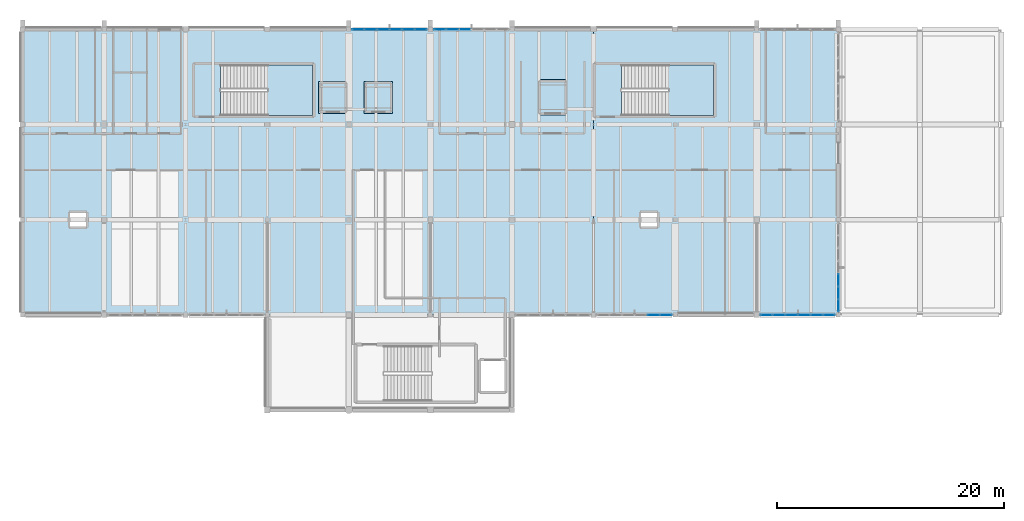
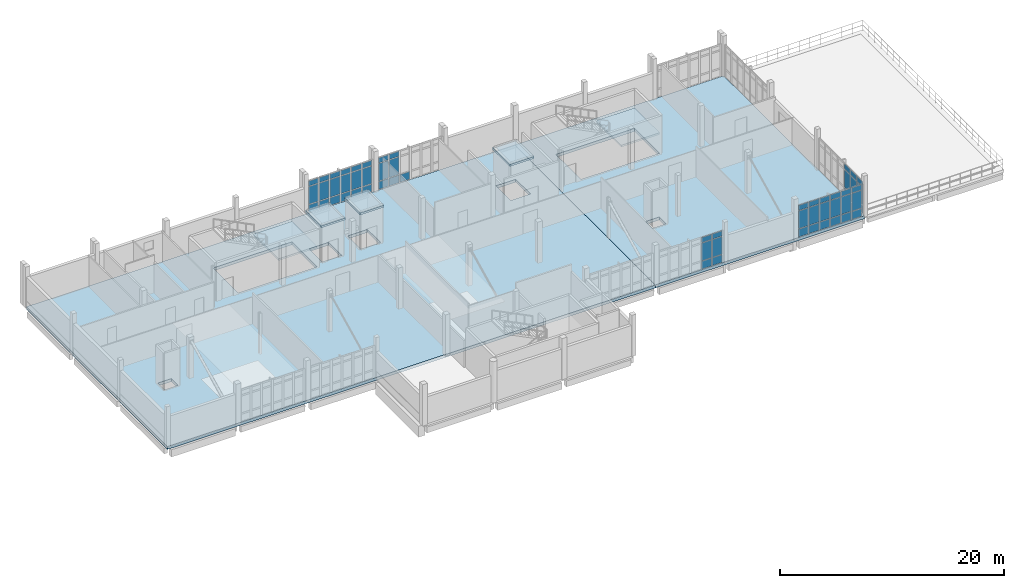
# One storey, part 23 of 34: 58 plates, 7 slabs, 7 elements without a shape of their own.
"""IFC4 building model written with IfcOpenShell, lengths in metres."""

import ifcopenshell
import ifcopenshell.guid

model = None  # the IFC model being written
_history = None  # IfcOwnerHistory: only IFC2X3 demands one
_inside = {}  # id of a spatial element -> (the spatial element, [elements in it])
_under = {}  # id of a project, library or spatial element -> (it, [spatial elements below it])
_declared = {}  # id of a project -> (the project, [libraries it declares])
_typed = {}  # id of a type object -> (the type object, [elements of that type])
_made_of = {}  # id of a material, layer set ... -> (it, [elements and type objects made of it])


def new_model(schema):
    """Start an empty IFC model of exactly this schema.

    Asked for "IFC4X3", IfcOpenShell would pick the latest addendum, in which some entities
    have other attributes; the version numbers below select the first issue.
    IFC2X3 requires an IfcOwnerHistory on every rooted entity: one is made here for all.
    """
    global model, _history
    if schema == "IFC4X3":
        model = ifcopenshell.file(schema_version=(4, 3, 0, 0))
    else:
        model = ifcopenshell.file(schema=schema)
    _inside.clear()
    _under.clear()
    _declared.clear()
    _typed.clear()
    _made_of.clear()
    _history = None
    if model.schema == "IFC2X3":
        org = make("IfcOrganization", Name="unknown")
        user = make(
            "IfcPersonAndOrganization",
            ThePerson=make("IfcPerson", FamilyName="unknown"),
            TheOrganization=org,
        )
        app = make(
            "IfcApplication",
            ApplicationDeveloper=org,
            Version="unknown",
            ApplicationFullName="unknown",
            ApplicationIdentifier="unknown",
        )
        _history = make(
            "IfcOwnerHistory",
            OwningUser=user,
            OwningApplication=app,
            ChangeAction="ADDED",
            CreationDate=0,
        )
    return model


def make(cls, **values):
    """One entity of the class cls with the attributes given. An attribute that is None is left unset."""
    return model.create_entity(
        cls, **{name: value for name, value in values.items() if value is not None}
    )


def rooted(cls, **values):
    """An entity with a GlobalId (a new one), such as an element, a storey or a relation."""
    return make(cls, GlobalId=ifcopenshell.guid.new(), OwnerHistory=_history, **values)


def si_unit(unit_type, name, prefix=None):
    """IfcSIUnit, for example si_unit("LENGTHUNIT", "METRE", prefix="MILLI")."""
    return make("IfcSIUnit", UnitType=unit_type, Prefix=prefix, Name=name)


def assignment(units):
    """IfcUnitAssignment: the units of a project."""
    return None if units is None else make("IfcUnitAssignment", Units=units)


def point(xyz):
    """IfcCartesianPoint."""
    return None if xyz is None else make("IfcCartesianPoint", Coordinates=xyz)


def direction(xyz):
    """IfcDirection."""
    return None if xyz is None else make("IfcDirection", DirectionRatios=xyz)


def frame(location, z_axis=None, x_axis=None):
    """IfcAxis2Placement3D, a coordinate frame: its origin and axes. An axis left out is left unset."""
    return make(
        "IfcAxis2Placement3D",
        Location=point(location),
        Axis=direction(z_axis),
        RefDirection=direction(x_axis),
    )


def frame_2d(location, x_axis=None):
    """IfcAxis2Placement2D, a coordinate frame in the plane: its origin and x axis."""
    return make(
        "IfcAxis2Placement2D", Location=point(location), RefDirection=direction(x_axis)
    )


def origin():
    """The frame at (0, 0, 0) with its axes left unset."""
    return frame((0.0, 0.0, 0.0))


def origin_2d():
    """The frame at (0, 0) in the plane with its x axis left unset."""
    return frame_2d((0.0, 0.0))


def place(relative_to, where):
    """IfcLocalPlacement: puts the frame where relative to a parent placement (None: the world)."""
    return make(
        "IfcLocalPlacement", PlacementRelTo=relative_to, RelativePlacement=where
    )


def context(
    kind, dimensions, precision=None, world=None, true_north=None, identifier=None
):
    """IfcGeometricRepresentationContext, for example the 3D "Model" context."""
    return make(
        "IfcGeometricRepresentationContext",
        ContextIdentifier=identifier,
        ContextType=kind,
        CoordinateSpaceDimension=dimensions,
        Precision=precision,
        WorldCoordinateSystem=world,
        TrueNorth=true_north,
    )


def subcontext(parent, identifier, kind, view, scale=None):
    """IfcGeometricRepresentationSubContext, for example "Body" below "Model"."""
    return make(
        "IfcGeometricRepresentationSubContext",
        ContextIdentifier=identifier,
        ContextType=kind,
        ParentContext=parent,
        TargetScale=scale,
        TargetView=view,
    )


def project(units=None, contexts=None):
    """IfcProject with its units and contexts."""
    return rooted(
        "IfcProject",
        Name="project",
        RepresentationContexts=contexts,
        UnitsInContext=assignment(units),
    )


def spatial(cls, under=None, at=None, **own):
    """A site, building, storey or space (cls), placed at a placement, below another one or the project."""
    s = rooted(cls, ObjectPlacement=at, **own)
    if under is not None:
        _under.setdefault(under.id(), (under, []))[1].append(s)
    return s


def polyline(points):
    """IfcPolyline through the points."""
    return make("IfcPolyline", Points=[point(p) for p in points])


def profile(cls, at=None, kind="AREA", **sizes):
    """A parametric profile (cls). Its sizes go by their IFC names, for example OverallWidth=200.0."""
    return make(cls, ProfileType=kind, Position=at, **sizes)


def rectangle(**sizes):
    """IfcRectangleProfileDef."""
    return profile("IfcRectangleProfileDef", **sizes)


def outline(outer, holes=None, kind="AREA"):
    """IfcArbitraryClosedProfileDef: a profile drawn as a closed curve; with holes, ...WithVoids."""
    if holes is None:
        return make("IfcArbitraryClosedProfileDef", ProfileType=kind, OuterCurve=outer)
    return make(
        "IfcArbitraryProfileDefWithVoids",
        ProfileType=kind,
        OuterCurve=outer,
        InnerCurves=holes,
    )


def extrude(swept, where, along, depth):
    """IfcExtrudedAreaSolid: the profile swept, set in the frame where, extruded along a direction by depth."""
    return make(
        "IfcExtrudedAreaSolid",
        SweptArea=swept,
        Position=where,
        ExtrudedDirection=direction(along),
        Depth=depth,
    )


def shape(context_of_items, identifier, shape_type, items):
    """IfcShapeRepresentation: the items that make up one representation, for example the "Body"."""
    return make(
        "IfcShapeRepresentation",
        ContextOfItems=context_of_items,
        RepresentationIdentifier=identifier,
        RepresentationType=shape_type,
        Items=items,
    )


def material(Name=None, Category=None):
    """IfcMaterial."""
    return make("IfcMaterial", Name=Name, Category=Category)


def layer(
    of_material, thickness, ventilated=None, Name=None, Category=None, Priority=None
):
    """IfcMaterialLayer: one layer of a wall or slab, of a material (None: an air gap)."""
    return make(
        "IfcMaterialLayer",
        Material=of_material,
        LayerThickness=thickness,
        IsVentilated=ventilated,
        Name=Name,
        Category=Category,
        Priority=Priority,
    )


def layer_set(layers, Name=None):
    """IfcMaterialLayerSet."""
    return make("IfcMaterialLayerSet", MaterialLayers=layers, LayerSetName=Name)


def made_of(thing, what):
    """Note that an element or type object is made of a material, layer set ...; save() writes the relation."""
    if what is not None:
        _made_of.setdefault(what.id(), (what, []))[1].append(thing)
    return thing


def type_object(cls, material=None, **own):
    """A type object (cls), such as IfcWallType, which elements share."""
    return made_of(rooted(cls, **own), material)


def element(
    cls,
    number,
    at=None,
    inside=None,
    cuts=None,
    type_object=None,
    material=None,
    context=None,
    identifier="Body",
    shape_type=None,
    held_by="IfcProductDefinitionShape",
    body=None,
    shapes=None,
    **own,
):
    """One element of the class cls, such as IfcWall. Its Tag is "e" and its number.

    at: its placement. inside: the storey or other place that contains it. cuts: it is an
    opening in that element (IfcRelVoidsElement). A single representation is given by context,
    identifier, shape_type and body (its items); several are given by shapes. held_by: the class
    of the entity that holds the representations. save() writes the other relations.
    """
    e = rooted(cls, Tag="e%d" % number, ObjectPlacement=at, **own)
    if body is not None:
        shapes = [shape(context, identifier, shape_type, body)]
    if shapes is not None:
        e.Representation = make(held_by, Representations=shapes)
    if inside is not None:
        _inside.setdefault(inside.id(), (inside, []))[1].append(e)
    if cuts is not None:
        rooted(
            "IfcRelVoidsElement", RelatingBuildingElement=cuts, RelatedOpeningElement=e
        )
    if type_object is not None:
        _typed.setdefault(type_object.id(), (type_object, []))[1].append(e)
    return made_of(e, material)


def aggregate(whole, parts):
    """IfcRelAggregates: a whole, such as a stair, and the parts it consists of."""
    return rooted("IfcRelAggregates", RelatingObject=whole, RelatedObjects=parts)


def save(model, path):
    """Write the relations noted so far, then the file.

    IfcRelAggregates (storeys below a building ...), IfcRelContainedInSpatialStructure (elements
    in a storey), IfcRelDefinesByType, IfcRelAssociatesMaterial and IfcRelDeclares: one each for
    every whole, place, type object, material and project.
    """
    for whole, parts in _under.values():
        aggregate(whole, parts)
    for where, things in _inside.values():
        rooted(
            "IfcRelContainedInSpatialStructure",
            RelatedElements=things,
            RelatingStructure=where,
        )
    for kind, things in _typed.values():
        rooted("IfcRelDefinesByType", RelatedObjects=things, RelatingType=kind)
    for what, things in _made_of.values():
        rooted("IfcRelAssociatesMaterial", RelatedObjects=things, RelatingMaterial=what)
    for by, libraries in _declared.values():
        rooted("IfcRelDeclares", RelatingContext=by, RelatedDefinitions=libraries)
    model.write(path)


model = new_model("IFC4")

# Units and contexts
model_context = context("Model", 3, precision=1e-05, world=origin(), true_north=direction((0.0, 1.0)))
body_context = subcontext(model_context, "Body", "Model", "MODEL_VIEW")
ifc_project = project(units=[si_unit("LENGTHUNIT", "METRE"), si_unit("AREAUNIT", "SQUARE_METRE"), si_unit("VOLUMEUNIT", "CUBIC_METRE"), si_unit("PLANEANGLEUNIT", "RADIAN"), si_unit("MASSUNIT", "GRAM", prefix="KILO")], contexts=[model_context])

# Site, building, storey
site_placement = place(None, origin())
site = spatial("IfcSite", under=ifc_project, at=site_placement, CompositionType="ELEMENT")
building_placement = place(site_placement, origin())
building = spatial("IfcBuilding", under=site, at=building_placement, Name="Kalluvel Institute of Natural Sciences", CompositionType="ELEMENT")
storey_placement = place(building_placement, frame((0.0, 0.0, 36.89990234375)))
storey = spatial("IfcBuildingStorey", under=building, at=storey_placement, Name="L08", CompositionType="ELEMENT", Elevation=36.89990234375)

# Curtain wall, plates
ifc_material_1 = material(Name="Aluminium AW-6063 T6", Category="aluminium")
curtain_wall_type = type_object("IfcCurtainWallType", Name="CW-WET-45", PredefinedType="USERDEFINED", material=ifc_material_1)
curtain_wall_1_placement = place(storey_placement, origin())
curtain_wall_1 = element("IfcCurtainWall", 1, at=curtain_wall_1_placement, inside=storey, type_object=curtain_wall_type, Name="L08 Gothic lancet curtain wall CWA-L08-X430-Y1280", ObjectType="UNITISED LANCET FACADE", PredefinedType="USERDEFINED")
ifc_material_2 = material(Name="Solar-Control Low-E Laminated Glass", Category="glass")
ifc_layer_1 = layer(ifc_material_2, 0.0400390625)
ifc_layer_set_1 = layer_set([ifc_layer_1], Name="Solar-Control Low-E Laminated Glass")
plate_type = type_object("IfcPlateType", Name="CWP-SPN-40", PredefinedType="CURTAIN_PANEL", material=ifc_layer_set_1)
plate_1_placement = place(storey_placement, frame((43.623779296875, 128.0, 0.0703125), z_axis=(0.0, 0.0, 1.0), x_axis=(1.0, 0.0, 0.0)))
plate_1 = element("IfcPlate", 2, at=plate_1_placement, type_object=plate_type, Name="CW-01 panel 1.1", PredefinedType="CURTAIN_PANEL", context=body_context, shape_type="SweptSolid", body=[
    extrude(rectangle(XDim=1.007568359375, YDim=0.0400390625, at=origin_2d()), origin(), (0.0, 0.0, 1.0), 0.844970703125),
])
plate_2_placement = place(storey_placement, frame((43.623779296875, 128.0, 0.9853515625), z_axis=(0.0, 0.0, 1.0), x_axis=(1.0, 0.0, 0.0)))
plate_2 = element("IfcPlate", 3, at=plate_2_placement, type_object=plate_type, Name="CW-01 panel 1.2", PredefinedType="CURTAIN_PANEL", context=body_context, shape_type="SweptSolid", body=[
    extrude(rectangle(XDim=1.007568359375, YDim=0.0400390625, at=origin_2d()), origin(), (0.0, 0.0, 1.0), 1.909912109375),
])
plate_3_placement = place(storey_placement, frame((43.623779296875, 128.0, 2.965087890625), z_axis=(0.0, 0.0, 1.0), x_axis=(1.0, 0.0, 0.0)))
plate_3 = element("IfcPlate", 4, at=plate_3_placement, type_object=plate_type, Name="CW-01 panel 1.3", PredefinedType="CURTAIN_PANEL", context=body_context, shape_type="SweptSolid", body=[
    extrude(rectangle(XDim=1.007568359375, YDim=0.0400390625, at=origin_2d()), origin(), (0.0, 0.0, 1.0), 0.544921875),
])
plate_4_placement = place(storey_placement, frame((44.71875, 128.0, 0.0703125), z_axis=(0.0, 0.0, 1.0), x_axis=(1.0, 0.0, 0.0)))
plate_4 = element("IfcPlate", 5, at=plate_4_placement, type_object=plate_type, Name="CW-01 panel 2.1", PredefinedType="CURTAIN_PANEL", context=body_context, shape_type="SweptSolid", body=[
    extrude(rectangle(XDim=1.04248046875, YDim=0.0400390625, at=origin_2d()), origin(), (0.0, 0.0, 1.0), 0.844970703125),
])
plate_5_placement = place(storey_placement, frame((44.71875, 128.0, 0.9853515625), z_axis=(0.0, 0.0, 1.0), x_axis=(1.0, 0.0, 0.0)))
plate_5 = element("IfcPlate", 6, at=plate_5_placement, type_object=plate_type, Name="CW-01 panel 2.2", PredefinedType="CURTAIN_PANEL", context=body_context, shape_type="SweptSolid", body=[
    extrude(rectangle(XDim=1.04248046875, YDim=0.0400390625, at=origin_2d()), origin(), (0.0, 0.0, 1.0), 1.909912109375),
])
plate_6_placement = place(storey_placement, frame((44.71875, 128.0, 2.965087890625), z_axis=(0.0, 0.0, 1.0), x_axis=(1.0, 0.0, 0.0)))
plate_6 = element("IfcPlate", 7, at=plate_6_placement, type_object=plate_type, Name="CW-01 panel 2.3", PredefinedType="CURTAIN_PANEL", context=body_context, shape_type="SweptSolid", body=[
    extrude(rectangle(XDim=1.04248046875, YDim=0.0400390625, at=origin_2d()), origin(), (0.0, 0.0, 1.0), 0.544921875),
])
plate_7_placement = place(storey_placement, frame((45.831298828125, 128.0, 0.0703125), z_axis=(0.0, 0.0, 1.0), x_axis=(1.0, 0.0, 0.0)))
plate_7 = element("IfcPlate", 8, at=plate_7_placement, type_object=plate_type, Name="CW-01 panel 3.1", PredefinedType="CURTAIN_PANEL", context=body_context, shape_type="SweptSolid", body=[
    extrude(rectangle(XDim=1.04248046875, YDim=0.0400390625, at=origin_2d()), origin(), (0.0, 0.0, 1.0), 0.844970703125),
])
plate_8_placement = place(storey_placement, frame((45.831298828125, 128.0, 0.9853515625), z_axis=(0.0, 0.0, 1.0), x_axis=(1.0, 0.0, 0.0)))
plate_8 = element("IfcPlate", 9, at=plate_8_placement, type_object=plate_type, Name="CW-01 panel 3.2", PredefinedType="CURTAIN_PANEL", context=body_context, shape_type="SweptSolid", body=[
    extrude(rectangle(XDim=1.04248046875, YDim=0.0400390625, at=origin_2d()), origin(), (0.0, 0.0, 1.0), 1.909912109375),
])
plate_9_placement = place(storey_placement, frame((45.831298828125, 128.0, 2.965087890625), z_axis=(0.0, 0.0, 1.0), x_axis=(1.0, 0.0, 0.0)))
plate_9 = element("IfcPlate", 10, at=plate_9_placement, type_object=plate_type, Name="CW-01 panel 3.3", PredefinedType="CURTAIN_PANEL", context=body_context, shape_type="SweptSolid", body=[
    extrude(rectangle(XDim=1.04248046875, YDim=0.0400390625, at=origin_2d()), origin(), (0.0, 0.0, 1.0), 0.544921875),
])
plate_10_placement = place(storey_placement, frame((46.94384765625, 128.0, 0.0703125), z_axis=(0.0, 0.0, 1.0), x_axis=(1.0, 0.0, 0.0)))
plate_10 = element("IfcPlate", 11, at=plate_10_placement, type_object=plate_type, Name="CW-01 panel 4.1", PredefinedType="CURTAIN_PANEL", context=body_context, shape_type="SweptSolid", body=[
    extrude(rectangle(XDim=1.04248046875, YDim=0.0400390625, at=origin_2d()), origin(), (0.0, 0.0, 1.0), 0.844970703125),
])
plate_11_placement = place(storey_placement, frame((46.94384765625, 128.0, 0.9853515625), z_axis=(0.0, 0.0, 1.0), x_axis=(1.0, 0.0, 0.0)))
plate_11 = element("IfcPlate", 12, at=plate_11_placement, type_object=plate_type, Name="CW-01 panel 4.2", PredefinedType="CURTAIN_PANEL", context=body_context, shape_type="SweptSolid", body=[
    extrude(rectangle(XDim=1.04248046875, YDim=0.0400390625, at=origin_2d()), origin(), (0.0, 0.0, 1.0), 1.909912109375),
])
plate_12_placement = place(storey_placement, frame((46.94384765625, 128.0, 2.965087890625), z_axis=(0.0, 0.0, 1.0), x_axis=(1.0, 0.0, 0.0)))
plate_12 = element("IfcPlate", 13, at=plate_12_placement, type_object=plate_type, Name="CW-01 panel 4.3", PredefinedType="CURTAIN_PANEL", context=body_context, shape_type="SweptSolid", body=[
    extrude(rectangle(XDim=1.04248046875, YDim=0.0400390625, at=origin_2d()), origin(), (0.0, 0.0, 1.0), 0.544921875),
])
plate_13_placement = place(storey_placement, frame((48.05615234375, 128.0, 0.0703125), z_axis=(0.0, 0.0, 1.0), x_axis=(1.0, 0.0, 0.0)))
plate_13 = element("IfcPlate", 14, at=plate_13_placement, type_object=plate_type, Name="CW-01 panel 5.1", PredefinedType="CURTAIN_PANEL", context=body_context, shape_type="SweptSolid", body=[
    extrude(rectangle(XDim=1.04248046875, YDim=0.0400390625, at=origin_2d()), origin(), (0.0, 0.0, 1.0), 0.844970703125),
])
plate_14_placement = place(storey_placement, frame((48.05615234375, 128.0, 0.9853515625), z_axis=(0.0, 0.0, 1.0), x_axis=(1.0, 0.0, 0.0)))
plate_14 = element("IfcPlate", 15, at=plate_14_placement, type_object=plate_type, Name="CW-01 panel 5.2", PredefinedType="CURTAIN_PANEL", context=body_context, shape_type="SweptSolid", body=[
    extrude(rectangle(XDim=1.04248046875, YDim=0.0400390625, at=origin_2d()), origin(), (0.0, 0.0, 1.0), 1.909912109375),
])
plate_15_placement = place(storey_placement, frame((48.05615234375, 128.0, 2.965087890625), z_axis=(0.0, 0.0, 1.0), x_axis=(1.0, 0.0, 0.0)))
plate_15 = element("IfcPlate", 16, at=plate_15_placement, type_object=plate_type, Name="CW-01 panel 5.3", PredefinedType="CURTAIN_PANEL", context=body_context, shape_type="SweptSolid", body=[
    extrude(rectangle(XDim=1.04248046875, YDim=0.0400390625, at=origin_2d()), origin(), (0.0, 0.0, 1.0), 0.544921875),
])
plate_16_placement = place(storey_placement, frame((49.1513671875, 128.0, 0.0703125), z_axis=(0.0, 0.0, 1.0), x_axis=(1.0, 0.0, 0.0)))
plate_16 = element("IfcPlate", 17, at=plate_16_placement, type_object=plate_type, Name="CW-01 panel 6.1", PredefinedType="CURTAIN_PANEL", context=body_context, shape_type="SweptSolid", body=[
    extrude(rectangle(XDim=1.007568359375, YDim=0.0400390625, at=origin_2d()), origin(), (0.0, 0.0, 1.0), 0.844970703125),
])
plate_17_placement = place(storey_placement, frame((49.1513671875, 128.0, 0.9853515625), z_axis=(0.0, 0.0, 1.0), x_axis=(1.0, 0.0, 0.0)))
plate_17 = element("IfcPlate", 18, at=plate_17_placement, type_object=plate_type, Name="CW-01 panel 6.2", PredefinedType="CURTAIN_PANEL", context=body_context, shape_type="SweptSolid", body=[
    extrude(rectangle(XDim=1.007568359375, YDim=0.0400390625, at=origin_2d()), origin(), (0.0, 0.0, 1.0), 1.909912109375),
])
plate_18_placement = place(storey_placement, frame((49.1513671875, 128.0, 2.965087890625), z_axis=(0.0, 0.0, 1.0), x_axis=(1.0, 0.0, 0.0)))
plate_18 = element("IfcPlate", 19, at=plate_18_placement, type_object=plate_type, Name="CW-01 panel 6.3", PredefinedType="CURTAIN_PANEL", context=body_context, shape_type="SweptSolid", body=[
    extrude(rectangle(XDim=1.007568359375, YDim=0.0400390625, at=origin_2d()), origin(), (0.0, 0.0, 1.0), 0.544921875),
])
aggregate(curtain_wall_1, [plate_1, plate_2, plate_3, plate_4, plate_5, plate_6, plate_7, plate_8, plate_9, plate_10, plate_11, plate_12, plate_13, plate_14, plate_15, plate_16, plate_17, plate_18])

curtain_wall_2_placement = place(storey_placement, origin())
curtain_wall_2 = element("IfcCurtainWall", 20, at=curtain_wall_2_placement, inside=storey, type_object=curtain_wall_type, Name="L08 Gothic lancet curtain wall CWA-L08-X503-Y1280", ObjectType="UNITISED LANCET FACADE", PredefinedType="USERDEFINED")
plate_19_placement = place(storey_placement, frame((50.8486328125, 128.0, 0.0703125), z_axis=(0.0, 0.0, 1.0), x_axis=(1.0, 0.0, 0.0)))
plate_19 = element("IfcPlate", 21, at=plate_19_placement, type_object=plate_type, Name="CW-01 panel 1.1", PredefinedType="CURTAIN_PANEL", context=body_context, shape_type="SweptSolid", body=[
    extrude(rectangle(XDim=1.007568359375, YDim=0.0400390625, at=origin_2d()), origin(), (0.0, 0.0, 1.0), 0.844970703125),
])
plate_20_placement = place(storey_placement, frame((50.8486328125, 128.0, 0.9853515625), z_axis=(0.0, 0.0, 1.0), x_axis=(1.0, 0.0, 0.0)))
plate_20 = element("IfcPlate", 22, at=plate_20_placement, type_object=plate_type, Name="CW-01 panel 1.2", PredefinedType="CURTAIN_PANEL", context=body_context, shape_type="SweptSolid", body=[
    extrude(rectangle(XDim=1.007568359375, YDim=0.0400390625, at=origin_2d()), origin(), (0.0, 0.0, 1.0), 1.909912109375),
])
plate_21_placement = place(storey_placement, frame((50.8486328125, 128.0, 2.965087890625), z_axis=(0.0, 0.0, 1.0), x_axis=(1.0, 0.0, 0.0)))
plate_21 = element("IfcPlate", 23, at=plate_21_placement, type_object=plate_type, Name="CW-01 panel 1.3", PredefinedType="CURTAIN_PANEL", context=body_context, shape_type="SweptSolid", body=[
    extrude(rectangle(XDim=1.007568359375, YDim=0.0400390625, at=origin_2d()), origin(), (0.0, 0.0, 1.0), 0.544921875),
])
plate_22_placement = place(storey_placement, frame((51.94384765625, 128.0, 0.0703125), z_axis=(0.0, 0.0, 1.0), x_axis=(1.0, 0.0, 0.0)))
plate_22 = element("IfcPlate", 24, at=plate_22_placement, type_object=plate_type, Name="CW-01 panel 2.1", PredefinedType="CURTAIN_PANEL", context=body_context, shape_type="SweptSolid", body=[
    extrude(rectangle(XDim=1.04248046875, YDim=0.0400390625, at=origin_2d()), origin(), (0.0, 0.0, 1.0), 0.844970703125),
])
plate_23_placement = place(storey_placement, frame((51.94384765625, 128.0, 0.9853515625), z_axis=(0.0, 0.0, 1.0), x_axis=(1.0, 0.0, 0.0)))
plate_23 = element("IfcPlate", 25, at=plate_23_placement, type_object=plate_type, Name="CW-01 panel 2.2", PredefinedType="CURTAIN_PANEL", context=body_context, shape_type="SweptSolid", body=[
    extrude(rectangle(XDim=1.04248046875, YDim=0.0400390625, at=origin_2d()), origin(), (0.0, 0.0, 1.0), 1.909912109375),
])
plate_24_placement = place(storey_placement, frame((51.94384765625, 128.0, 2.965087890625), z_axis=(0.0, 0.0, 1.0), x_axis=(1.0, 0.0, 0.0)))
plate_24 = element("IfcPlate", 26, at=plate_24_placement, type_object=plate_type, Name="CW-01 panel 2.3", PredefinedType="CURTAIN_PANEL", context=body_context, shape_type="SweptSolid", body=[
    extrude(rectangle(XDim=1.04248046875, YDim=0.0400390625, at=origin_2d()), origin(), (0.0, 0.0, 1.0), 0.544921875),
])
plate_25_placement = place(storey_placement, frame((53.05615234375, 128.0, 0.0703125), z_axis=(0.0, 0.0, 1.0), x_axis=(1.0, 0.0, 0.0)))
plate_25 = element("IfcPlate", 27, at=plate_25_placement, type_object=plate_type, Name="CW-01 panel 3.1", PredefinedType="CURTAIN_PANEL", context=body_context, shape_type="SweptSolid", body=[
    extrude(rectangle(XDim=1.04248046875, YDim=0.0400390625, at=origin_2d()), origin(), (0.0, 0.0, 1.0), 0.844970703125),
])
aggregate(curtain_wall_2, [plate_19, plate_20, plate_21, plate_22, plate_23, plate_24, plate_25])

curtain_wall_3_placement = place(storey_placement, origin())
curtain_wall_3 = element("IfcCurtainWall", 28, at=curtain_wall_3_placement, inside=storey, type_object=curtain_wall_type, Name="L08 Gothic lancet curtain wall CWA-L08-X647-Y1028", ObjectType="UNITISED LANCET FACADE", PredefinedType="USERDEFINED")
plate_26_placement = place(storey_placement, frame((69.68115234375, 102.800048828125, 0.0703125), z_axis=(0.0, 0.0, 1.0), x_axis=(1.0, 0.0, 0.0)))
plate_26 = element("IfcPlate", 29, at=plate_26_placement, type_object=plate_type, Name="CW-01 panel 5.1", PredefinedType="CURTAIN_PANEL", context=body_context, shape_type="SweptSolid", body=[
    extrude(rectangle(XDim=1.04248046875, YDim=0.0400390625, at=origin_2d()), origin(), (0.0, 0.0, 1.0), 0.844970703125),
])
plate_27_placement = place(storey_placement, frame((69.68115234375, 102.800048828125, 0.9853515625), z_axis=(0.0, 0.0, 1.0), x_axis=(1.0, 0.0, 0.0)))
plate_27 = element("IfcPlate", 30, at=plate_27_placement, type_object=plate_type, Name="CW-01 panel 5.2", PredefinedType="CURTAIN_PANEL", context=body_context, shape_type="SweptSolid", body=[
    extrude(rectangle(XDim=1.04248046875, YDim=0.0400390625, at=origin_2d()), origin(), (0.0, 0.0, 1.0), 1.909912109375),
])
plate_28_placement = place(storey_placement, frame((69.68115234375, 102.800048828125, 2.965087890625), z_axis=(0.0, 0.0, 1.0), x_axis=(1.0, 0.0, 0.0)))
plate_28 = element("IfcPlate", 31, at=plate_28_placement, type_object=plate_type, Name="CW-01 panel 5.3", PredefinedType="CURTAIN_PANEL", context=body_context, shape_type="SweptSolid", body=[
    extrude(rectangle(XDim=1.04248046875, YDim=0.0400390625, at=origin_2d()), origin(), (0.0, 0.0, 1.0), 0.544921875),
])
plate_29_placement = place(storey_placement, frame((70.7763671875, 102.800048828125, 0.0703125), z_axis=(0.0, 0.0, 1.0), x_axis=(1.0, 0.0, 0.0)))
plate_29 = element("IfcPlate", 32, at=plate_29_placement, type_object=plate_type, Name="CW-01 panel 6.1", PredefinedType="CURTAIN_PANEL", context=body_context, shape_type="SweptSolid", body=[
    extrude(rectangle(XDim=1.007568359375, YDim=0.0400390625, at=origin_2d()), origin(), (0.0, 0.0, 1.0), 0.844970703125),
])
plate_30_placement = place(storey_placement, frame((70.7763671875, 102.800048828125, 0.9853515625), z_axis=(0.0, 0.0, 1.0), x_axis=(1.0, 0.0, 0.0)))
plate_30 = element("IfcPlate", 33, at=plate_30_placement, type_object=plate_type, Name="CW-01 panel 6.2", PredefinedType="CURTAIN_PANEL", context=body_context, shape_type="SweptSolid", body=[
    extrude(rectangle(XDim=1.007568359375, YDim=0.0400390625, at=origin_2d()), origin(), (0.0, 0.0, 1.0), 1.909912109375),
])
plate_31_placement = place(storey_placement, frame((70.7763671875, 102.800048828125, 2.965087890625), z_axis=(0.0, 0.0, 1.0), x_axis=(1.0, 0.0, 0.0)))
plate_31 = element("IfcPlate", 34, at=plate_31_placement, type_object=plate_type, Name="CW-01 panel 6.3", PredefinedType="CURTAIN_PANEL", context=body_context, shape_type="SweptSolid", body=[
    extrude(rectangle(XDim=1.007568359375, YDim=0.0400390625, at=origin_2d()), origin(), (0.0, 0.0, 1.0), 0.544921875),
])
aggregate(curtain_wall_3, [plate_26, plate_27, plate_28, plate_29, plate_30, plate_31])

curtain_wall_4_placement = place(storey_placement, origin())
curtain_wall_4 = element("IfcCurtainWall", 35, at=curtain_wall_4_placement, inside=storey, type_object=curtain_wall_type, Name="L08 Gothic lancet curtain wall CWA-L08-X791-Y1028", ObjectType="UNITISED LANCET FACADE", PredefinedType="USERDEFINED")
plate_32_placement = place(storey_placement, frame((79.671630859375, 102.800048828125, 0.0703125), z_axis=(0.0, 0.0, 1.0), x_axis=(1.0, 0.0, 0.0)))
plate_32 = element("IfcPlate", 36, at=plate_32_placement, type_object=plate_type, Name="CW-01 panel 1.1", PredefinedType="CURTAIN_PANEL", context=body_context, shape_type="SweptSolid", body=[
    extrude(rectangle(XDim=1.00341796875, YDim=0.0400390625, at=origin_2d()), origin(), (0.0, 0.0, 1.0), 0.844970703125),
])
plate_33_placement = place(storey_placement, frame((79.671630859375, 102.800048828125, 0.9853515625), z_axis=(0.0, 0.0, 1.0), x_axis=(1.0, 0.0, 0.0)))
plate_33 = element("IfcPlate", 37, at=plate_33_placement, type_object=plate_type, Name="CW-01 panel 1.2", PredefinedType="CURTAIN_PANEL", context=body_context, shape_type="SweptSolid", body=[
    extrude(rectangle(XDim=1.00341796875, YDim=0.0400390625, at=origin_2d()), origin(), (0.0, 0.0, 1.0), 1.909912109375),
])
plate_34_placement = place(storey_placement, frame((79.671630859375, 102.800048828125, 2.965087890625), z_axis=(0.0, 0.0, 1.0), x_axis=(1.0, 0.0, 0.0)))
plate_34 = element("IfcPlate", 38, at=plate_34_placement, type_object=plate_type, Name="CW-01 panel 1.3", PredefinedType="CURTAIN_PANEL", context=body_context, shape_type="SweptSolid", body=[
    extrude(rectangle(XDim=1.00341796875, YDim=0.0400390625, at=origin_2d()), origin(), (0.0, 0.0, 1.0), 0.544921875),
])
plate_35_placement = place(storey_placement, frame((80.762451171875, 102.800048828125, 0.0703125), z_axis=(0.0, 0.0, 1.0), x_axis=(1.0, 0.0, 0.0)))
plate_35 = element("IfcPlate", 39, at=plate_35_placement, type_object=plate_type, Name="CW-01 panel 2.1", PredefinedType="CURTAIN_PANEL", context=body_context, shape_type="SweptSolid", body=[
    extrude(rectangle(XDim=1.038330078125, YDim=0.0400390625, at=origin_2d()), origin(), (0.0, 0.0, 1.0), 0.844970703125),
])
plate_36_placement = place(storey_placement, frame((80.762451171875, 102.800048828125, 0.9853515625), z_axis=(0.0, 0.0, 1.0), x_axis=(1.0, 0.0, 0.0)))
plate_36 = element("IfcPlate", 40, at=plate_36_placement, type_object=plate_type, Name="CW-01 panel 2.2", PredefinedType="CURTAIN_PANEL", context=body_context, shape_type="SweptSolid", body=[
    extrude(rectangle(XDim=1.038330078125, YDim=0.0400390625, at=origin_2d()), origin(), (0.0, 0.0, 1.0), 1.909912109375),
])
plate_37_placement = place(storey_placement, frame((80.762451171875, 102.800048828125, 2.965087890625), z_axis=(0.0, 0.0, 1.0), x_axis=(1.0, 0.0, 0.0)))
plate_37 = element("IfcPlate", 41, at=plate_37_placement, type_object=plate_type, Name="CW-01 panel 2.3", PredefinedType="CURTAIN_PANEL", context=body_context, shape_type="SweptSolid", body=[
    extrude(rectangle(XDim=1.038330078125, YDim=0.0400390625, at=origin_2d()), origin(), (0.0, 0.0, 1.0), 0.544921875),
])
plate_38_placement = place(storey_placement, frame((81.870849609375, 102.800048828125, 0.0703125), z_axis=(0.0, 0.0, 1.0), x_axis=(1.0, 0.0, 0.0)))
plate_38 = element("IfcPlate", 42, at=plate_38_placement, type_object=plate_type, Name="CW-01 panel 3.1", PredefinedType="CURTAIN_PANEL", context=body_context, shape_type="SweptSolid", body=[
    extrude(rectangle(XDim=1.038330078125, YDim=0.0400390625, at=origin_2d()), origin(), (0.0, 0.0, 1.0), 0.844970703125),
])
plate_39_placement = place(storey_placement, frame((81.870849609375, 102.800048828125, 0.9853515625), z_axis=(0.0, 0.0, 1.0), x_axis=(1.0, 0.0, 0.0)))
plate_39 = element("IfcPlate", 43, at=plate_39_placement, type_object=plate_type, Name="CW-01 panel 3.2", PredefinedType="CURTAIN_PANEL", context=body_context, shape_type="SweptSolid", body=[
    extrude(rectangle(XDim=1.038330078125, YDim=0.0400390625, at=origin_2d()), origin(), (0.0, 0.0, 1.0), 1.909912109375),
])
plate_40_placement = place(storey_placement, frame((81.870849609375, 102.800048828125, 2.965087890625), z_axis=(0.0, 0.0, 1.0), x_axis=(1.0, 0.0, 0.0)))
plate_40 = element("IfcPlate", 44, at=plate_40_placement, type_object=plate_type, Name="CW-01 panel 3.3", PredefinedType="CURTAIN_PANEL", context=body_context, shape_type="SweptSolid", body=[
    extrude(rectangle(XDim=1.038330078125, YDim=0.0400390625, at=origin_2d()), origin(), (0.0, 0.0, 1.0), 0.544921875),
])
plate_41_placement = place(storey_placement, frame((82.979248046875, 102.800048828125, 0.0703125), z_axis=(0.0, 0.0, 1.0), x_axis=(1.0, 0.0, 0.0)))
plate_41 = element("IfcPlate", 45, at=plate_41_placement, type_object=plate_type, Name="CW-01 panel 4.1", PredefinedType="CURTAIN_PANEL", context=body_context, shape_type="SweptSolid", body=[
    extrude(rectangle(XDim=1.038330078125, YDim=0.0400390625, at=origin_2d()), origin(), (0.0, 0.0, 1.0), 0.844970703125),
])
plate_42_placement = place(storey_placement, frame((82.979248046875, 102.800048828125, 0.9853515625), z_axis=(0.0, 0.0, 1.0), x_axis=(1.0, 0.0, 0.0)))
plate_42 = element("IfcPlate", 46, at=plate_42_placement, type_object=plate_type, Name="CW-01 panel 4.2", PredefinedType="CURTAIN_PANEL", context=body_context, shape_type="SweptSolid", body=[
    extrude(rectangle(XDim=1.038330078125, YDim=0.0400390625, at=origin_2d()), origin(), (0.0, 0.0, 1.0), 1.909912109375),
])
plate_43_placement = place(storey_placement, frame((82.979248046875, 102.800048828125, 2.965087890625), z_axis=(0.0, 0.0, 1.0), x_axis=(1.0, 0.0, 0.0)))
plate_43 = element("IfcPlate", 47, at=plate_43_placement, type_object=plate_type, Name="CW-01 panel 4.3", PredefinedType="CURTAIN_PANEL", context=body_context, shape_type="SweptSolid", body=[
    extrude(rectangle(XDim=1.038330078125, YDim=0.0400390625, at=origin_2d()), origin(), (0.0, 0.0, 1.0), 0.544921875),
])
plate_44_placement = place(storey_placement, frame((84.08740234375, 102.800048828125, 0.0703125), z_axis=(0.0, 0.0, 1.0), x_axis=(1.0, 0.0, 0.0)))
plate_44 = element("IfcPlate", 48, at=plate_44_placement, type_object=plate_type, Name="CW-01 panel 5.1", PredefinedType="CURTAIN_PANEL", context=body_context, shape_type="SweptSolid", body=[
    extrude(rectangle(XDim=1.038330078125, YDim=0.0400390625, at=origin_2d()), origin(), (0.0, 0.0, 1.0), 0.844970703125),
])
plate_45_placement = place(storey_placement, frame((84.08740234375, 102.800048828125, 0.9853515625), z_axis=(0.0, 0.0, 1.0), x_axis=(1.0, 0.0, 0.0)))
plate_45 = element("IfcPlate", 49, at=plate_45_placement, type_object=plate_type, Name="CW-01 panel 5.2", PredefinedType="CURTAIN_PANEL", context=body_context, shape_type="SweptSolid", body=[
    extrude(rectangle(XDim=1.038330078125, YDim=0.0400390625, at=origin_2d()), origin(), (0.0, 0.0, 1.0), 1.909912109375),
])
plate_46_placement = place(storey_placement, frame((84.08740234375, 102.800048828125, 2.965087890625), z_axis=(0.0, 0.0, 1.0), x_axis=(1.0, 0.0, 0.0)))
plate_46 = element("IfcPlate", 50, at=plate_46_placement, type_object=plate_type, Name="CW-01 panel 5.3", PredefinedType="CURTAIN_PANEL", context=body_context, shape_type="SweptSolid", body=[
    extrude(rectangle(XDim=1.038330078125, YDim=0.0400390625, at=origin_2d()), origin(), (0.0, 0.0, 1.0), 0.544921875),
])
plate_47_placement = place(storey_placement, frame((85.17822265625, 102.800048828125, 0.0703125), z_axis=(0.0, 0.0, 1.0), x_axis=(1.0, 0.0, 0.0)))
plate_47 = element("IfcPlate", 51, at=plate_47_placement, type_object=plate_type, Name="CW-01 panel 6.1", PredefinedType="CURTAIN_PANEL", context=body_context, shape_type="SweptSolid", body=[
    extrude(rectangle(XDim=1.00341796875, YDim=0.0400390625, at=origin_2d()), origin(), (0.0, 0.0, 1.0), 0.844970703125),
])
plate_48_placement = place(storey_placement, frame((85.17822265625, 102.800048828125, 0.9853515625), z_axis=(0.0, 0.0, 1.0), x_axis=(1.0, 0.0, 0.0)))
plate_48 = element("IfcPlate", 52, at=plate_48_placement, type_object=plate_type, Name="CW-01 panel 6.2", PredefinedType="CURTAIN_PANEL", context=body_context, shape_type="SweptSolid", body=[
    extrude(rectangle(XDim=1.00341796875, YDim=0.0400390625, at=origin_2d()), origin(), (0.0, 0.0, 1.0), 1.909912109375),
])
plate_49_placement = place(storey_placement, frame((85.17822265625, 102.800048828125, 2.965087890625), z_axis=(0.0, 0.0, 1.0), x_axis=(1.0, 0.0, 0.0)))
plate_49 = element("IfcPlate", 53, at=plate_49_placement, type_object=plate_type, Name="CW-01 panel 6.3", PredefinedType="CURTAIN_PANEL", context=body_context, shape_type="SweptSolid", body=[
    extrude(rectangle(XDim=1.00341796875, YDim=0.0400390625, at=origin_2d()), origin(), (0.0, 0.0, 1.0), 0.544921875),
])
aggregate(curtain_wall_4, [plate_32, plate_33, plate_34, plate_35, plate_36, plate_37, plate_38, plate_39, plate_40, plate_41, plate_42, plate_43, plate_44, plate_45, plate_46, plate_47, plate_48, plate_49])

curtain_wall_5_placement = place(storey_placement, origin())
curtain_wall_5 = element("IfcCurtainWall", 54, at=curtain_wall_5_placement, inside=storey, type_object=curtain_wall_type, Name="L08 Gothic lancet curtain wall CWA-L08-X860-Y1030", ObjectType="UNITISED LANCET FACADE", PredefinedType="USERDEFINED")
plate_50_placement = place(storey_placement, frame((86.0, 103.6318359375, 0.0703125), z_axis=(0.0, 0.0, 1.0), x_axis=(0.0, 1.0, 0.0)))
plate_50 = element("IfcPlate", 55, at=plate_50_placement, type_object=plate_type, Name="CW-01 panel 1.1", PredefinedType="CURTAIN_PANEL", context=body_context, shape_type="SweptSolid", body=[
    extrude(rectangle(XDim=1.023681640625, YDim=0.0400390625, at=origin_2d()), origin(), (0.0, 0.0, 1.0), 0.844970703125),
])
plate_51_placement = place(storey_placement, frame((86.0, 103.6318359375, 0.9853515625), z_axis=(0.0, 0.0, 1.0), x_axis=(0.0, 1.0, 0.0)))
plate_51 = element("IfcPlate", 56, at=plate_51_placement, type_object=plate_type, Name="CW-01 panel 1.2", PredefinedType="CURTAIN_PANEL", context=body_context, shape_type="SweptSolid", body=[
    extrude(rectangle(XDim=1.023681640625, YDim=0.0400390625, at=origin_2d()), origin(), (0.0, 0.0, 1.0), 1.909912109375),
])
plate_52_placement = place(storey_placement, frame((86.0, 103.6318359375, 2.965087890625), z_axis=(0.0, 0.0, 1.0), x_axis=(0.0, 1.0, 0.0)))
plate_52 = element("IfcPlate", 57, at=plate_52_placement, type_object=plate_type, Name="CW-01 panel 1.3", PredefinedType="CURTAIN_PANEL", context=body_context, shape_type="SweptSolid", body=[
    extrude(rectangle(XDim=1.023681640625, YDim=0.0400390625, at=origin_2d()), origin(), (0.0, 0.0, 1.0), 0.544921875),
])
plate_53_placement = place(storey_placement, frame((86.0, 104.742919921875, 0.0703125), z_axis=(0.0, 0.0, 1.0), x_axis=(0.0, 1.0, 0.0)))
plate_53 = element("IfcPlate", 58, at=plate_53_placement, type_object=plate_type, Name="CW-01 panel 2.1", PredefinedType="CURTAIN_PANEL", context=body_context, shape_type="SweptSolid", body=[
    extrude(rectangle(XDim=1.05859375, YDim=0.0400390625, at=origin_2d()), origin(), (0.0, 0.0, 1.0), 0.844970703125),
])
plate_54_placement = place(storey_placement, frame((86.0, 104.742919921875, 0.9853515625), z_axis=(0.0, 0.0, 1.0), x_axis=(0.0, 1.0, 0.0)))
plate_54 = element("IfcPlate", 59, at=plate_54_placement, type_object=plate_type, Name="CW-01 panel 2.2", PredefinedType="CURTAIN_PANEL", context=body_context, shape_type="SweptSolid", body=[
    extrude(rectangle(XDim=1.05859375, YDim=0.0400390625, at=origin_2d()), origin(), (0.0, 0.0, 1.0), 1.909912109375),
])
plate_55_placement = place(storey_placement, frame((86.0, 104.742919921875, 2.965087890625), z_axis=(0.0, 0.0, 1.0), x_axis=(0.0, 1.0, 0.0)))
plate_55 = element("IfcPlate", 60, at=plate_55_placement, type_object=plate_type, Name="CW-01 panel 2.3", PredefinedType="CURTAIN_PANEL", context=body_context, shape_type="SweptSolid", body=[
    extrude(rectangle(XDim=1.05859375, YDim=0.0400390625, at=origin_2d()), origin(), (0.0, 0.0, 1.0), 0.544921875),
])
plate_56_placement = place(storey_placement, frame((86.0, 105.871337890625, 0.0703125), z_axis=(0.0, 0.0, 1.0), x_axis=(0.0, 1.0, 0.0)))
plate_56 = element("IfcPlate", 61, at=plate_56_placement, type_object=plate_type, Name="CW-01 panel 3.1", PredefinedType="CURTAIN_PANEL", context=body_context, shape_type="SweptSolid", body=[
    extrude(rectangle(XDim=1.05859375, YDim=0.0400390625, at=origin_2d()), origin(), (0.0, 0.0, 1.0), 0.844970703125),
])
plate_57_placement = place(storey_placement, frame((86.0, 105.871337890625, 0.9853515625), z_axis=(0.0, 0.0, 1.0), x_axis=(0.0, 1.0, 0.0)))
plate_57 = element("IfcPlate", 62, at=plate_57_placement, type_object=plate_type, Name="CW-01 panel 3.2", PredefinedType="CURTAIN_PANEL", context=body_context, shape_type="SweptSolid", body=[
    extrude(rectangle(XDim=1.05859375, YDim=0.0400390625, at=origin_2d()), origin(), (0.0, 0.0, 1.0), 1.909912109375),
])
plate_58_placement = place(storey_placement, frame((86.0, 105.871337890625, 2.965087890625), z_axis=(0.0, 0.0, 1.0), x_axis=(0.0, 1.0, 0.0)))
plate_58 = element("IfcPlate", 63, at=plate_58_placement, type_object=plate_type, Name="CW-01 panel 3.3", PredefinedType="CURTAIN_PANEL", context=body_context, shape_type="SweptSolid", body=[
    extrude(rectangle(XDim=1.05859375, YDim=0.0400390625, at=origin_2d()), origin(), (0.0, 0.0, 1.0), 0.544921875),
])
aggregate(curtain_wall_5, [plate_50, plate_51, plate_52, plate_53, plate_54, plate_55, plate_56, plate_57, plate_58])

# Slabs
ifc_material_3 = material(Name="Concrete M40", Category="concrete")
ifc_layer_2 = layer(ifc_material_3, 0.320068359375)
ifc_layer_set_2 = layer_set([ifc_layer_2], Name="Concrete M40")
slab_type_1 = type_object("IfcSlabType", Name="SLB-WET-320", PredefinedType="FLOOR", material=ifc_layer_set_2)
slab_1_placement = place(storey_placement, frame((0.0, 0.0, -0.31982421875)))
element("IfcSlab", 64, at=slab_1_placement, inside=storey, type_object=slab_type_1, Name="L08 Wet Laboratory Waffle Floor Slab W", PredefinedType="FLOOR", context=body_context, shape_type="SweptSolid", body=[
    extrude(outline(polyline([(14.0, 102.800048828125), (64.39990234375, 102.800048828125), (64.39990234375, 128.0), (14.0, 128.0), (14.0, 102.800048828125)]), holes=[polyline([(61.820068359375, 120.679931640625), (59.780029296875, 120.679931640625), (59.780029296875, 123.320068359375), (61.820068359375, 123.320068359375), (61.820068359375, 120.679931640625)]), polyline([(46.419921875, 123.169921875), (46.419921875, 120.830078125), (44.3798828125, 120.830078125), (44.3798828125, 123.169921875), (46.419921875, 123.169921875)]), polyline([(42.419921875, 123.169921875), (42.419921875, 120.830078125), (40.3798828125, 120.830078125), (40.3798828125, 123.169921875), (42.419921875, 123.169921875)]), polyline([(39.60009765625, 120.39990234375), (31.468017578125, 120.39990234375), (31.468017578125, 124.8701171875), (39.60009765625, 124.8701171875), (39.60009765625, 120.39990234375)]), polyline([(19.60009765625, 111.800048828125), (19.60009765625, 110.60009765625), (18.199951171875, 110.60009765625), (18.199951171875, 111.800048828125), (19.60009765625, 111.800048828125)])]), origin(), (0.0, 0.0, 1.0), 0.31982421875),
])
slab_2_placement = place(storey_placement, frame((0.0, 0.0, -0.31982421875)))
element("IfcSlab", 65, at=slab_2_placement, inside=storey, type_object=slab_type_1, Name="L08 Wet Laboratory Waffle Floor Slab E", PredefinedType="FLOOR", context=body_context, shape_type="SweptSolid", body=[
    extrude(outline(polyline([(64.39990234375, 102.800048828125), (86.0, 102.800048828125), (86.0, 128.0), (64.39990234375, 128.0), (64.39990234375, 102.800048828125)]), holes=[polyline([(66.867919921875, 124.8701171875), (75.0, 124.8701171875), (75.0, 120.39990234375), (66.867919921875, 120.39990234375), (66.867919921875, 124.8701171875)]), polyline([(68.60009765625, 111.800048828125), (70.0, 111.800048828125), (70.0, 110.60009765625), (68.60009765625, 110.60009765625), (68.60009765625, 111.800048828125)])]), origin(), (0.0, 0.0, 1.0), 0.31982421875),
])
slab_3_placement = place(storey_placement, frame((0.0, 0.0, 3.920166015625)))
element("IfcSlab", 66, at=slab_3_placement, inside=storey, type_object=slab_type_1, Name="LF1 shaft overrun cap slab", PredefinedType="FLOOR", context=body_context, shape_type="SweptSolid", body=[
    extrude(outline(polyline([(40.139892578125, 120.590087890625), (42.659912109375, 120.590087890625), (42.659912109375, 123.409912109375), (40.139892578125, 123.409912109375), (40.139892578125, 120.590087890625)])), origin(), (0.0, 0.0, 1.0), 0.219970703125),
])
slab_4_placement = place(storey_placement, frame((0.0, 0.0, 3.920166015625)))
element("IfcSlab", 67, at=slab_4_placement, inside=storey, type_object=slab_type_1, Name="LF2 shaft overrun cap slab", PredefinedType="FLOOR", context=body_context, shape_type="SweptSolid", body=[
    extrude(outline(polyline([(44.139892578125, 120.590087890625), (46.659912109375, 120.590087890625), (46.659912109375, 123.409912109375), (44.139892578125, 123.409912109375), (44.139892578125, 120.590087890625)])), origin(), (0.0, 0.0, 1.0), 0.219970703125),
])
slab_5_placement = place(storey_placement, frame((0.0, 0.0, 3.920166015625)))
element("IfcSlab", 68, at=slab_5_placement, inside=storey, type_object=slab_type_1, Name="LF3 shaft overrun cap slab", PredefinedType="FLOOR", context=body_context, shape_type="SweptSolid", body=[
    extrude(outline(polyline([(59.5400390625, 120.43994140625), (62.06005859375, 120.43994140625), (62.06005859375, 123.56005859375), (59.5400390625, 123.56005859375), (59.5400390625, 120.43994140625)])), origin(), (0.0, 0.0, 1.0), 0.219970703125),
])

# Stair, slab
stair_type = type_object("IfcStairType", Name="STR-ST12-45", PredefinedType="HALF_TURN_STAIR", material=ifc_material_3)
stair_1_placement = place(storey_placement, origin())
stair_1 = element("IfcStair", 69, at=stair_1_placement, inside=storey, type_object=stair_type, Name="L08 Wet Wing West Protected Exit Stair ST1", PredefinedType="HALF_TURN_STAIR")
ifc_layer_3 = layer(ifc_material_3, 0.199951171875)
ifc_layer_set_3 = layer_set([ifc_layer_3], Name="Concrete M40")
slab_type_2 = type_object("IfcSlabType", Name="SLD-ST12", PredefinedType="LANDING", material=ifc_layer_set_3)
slab_6_placement = place(storey_placement, frame((0.0, 0.0, 2.050048828125)))
slab_6 = element("IfcSlab", 70, at=slab_6_placement, type_object=slab_type_2, Name="S1-45 landing 1", PredefinedType="LANDING", context=body_context, shape_type="SweptSolid", body=[
    extrude(outline(polyline([(35.632080078125, 120.39990234375), (39.60009765625, 120.39990234375), (39.60009765625, 124.8701171875), (35.632080078125, 124.8701171875), (35.632080078125, 120.39990234375)])), origin(), (0.0, 0.0, 1.0), 0.199951171875),
])
aggregate(stair_1, [slab_6])

stair_2_placement = place(storey_placement, origin())
stair_2 = element("IfcStair", 71, at=stair_2_placement, inside=storey, type_object=stair_type, Name="L08 Wet Wing East Protected Exit Stair ST2", PredefinedType="HALF_TURN_STAIR")
slab_7_placement = place(storey_placement, frame((0.0, 0.0, 2.050048828125)))
slab_7 = element("IfcSlab", 72, at=slab_7_placement, type_object=slab_type_2, Name="S1-45 landing 1", PredefinedType="LANDING", context=body_context, shape_type="SweptSolid", body=[
    extrude(outline(polyline([(71.031982421875, 120.39990234375), (75.0, 120.39990234375), (75.0, 124.8701171875), (71.031982421875, 124.8701171875), (71.031982421875, 120.39990234375)])), origin(), (0.0, 0.0, 1.0), 0.199951171875),
])
aggregate(stair_2, [slab_7])

save(model, "model.ifc")
